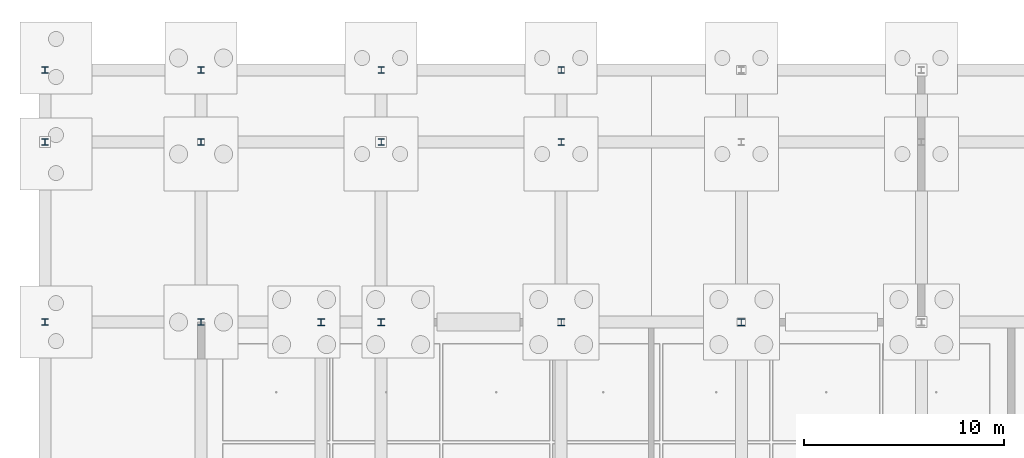
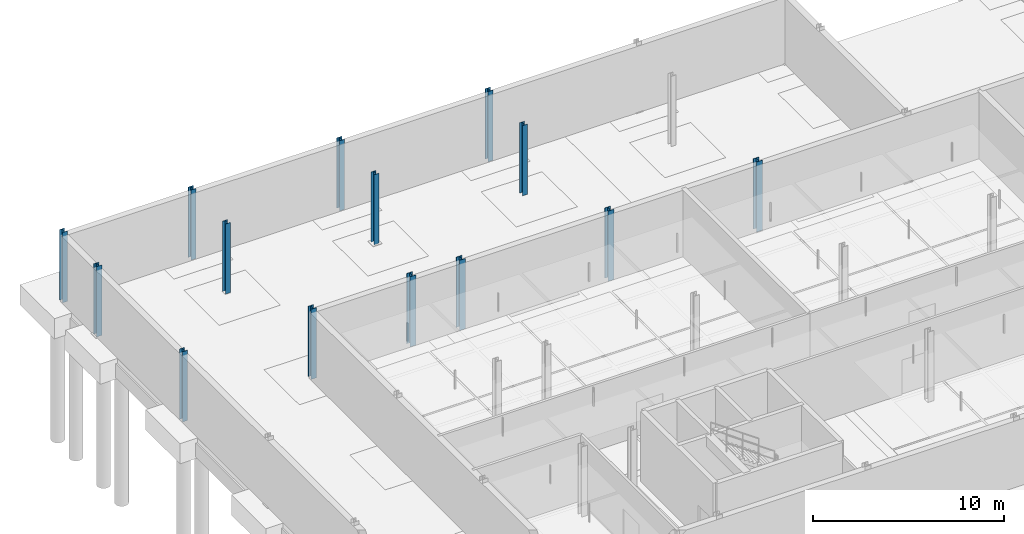
# One storey, part 13 of 48: 14 columns.
"""IFC4 building model written with IfcOpenShell, lengths in metres."""

import ifcopenshell
import ifcopenshell.guid

model = None  # the IFC model being written
_history = None  # IfcOwnerHistory: only IFC2X3 demands one
_inside = {}  # id of a spatial element -> (the spatial element, [elements in it])
_under = {}  # id of a project, library or spatial element -> (it, [spatial elements below it])
_declared = {}  # id of a project -> (the project, [libraries it declares])
_typed = {}  # id of a type object -> (the type object, [elements of that type])
_made_of = {}  # id of a material, layer set ... -> (it, [elements and type objects made of it])


def new_model(schema):
    """Start an empty IFC model of exactly this schema.

    Asked for "IFC4X3", IfcOpenShell would pick the latest addendum, in which some entities
    have other attributes; the version numbers below select the first issue.
    IFC2X3 requires an IfcOwnerHistory on every rooted entity: one is made here for all.
    """
    global model, _history
    if schema == "IFC4X3":
        model = ifcopenshell.file(schema_version=(4, 3, 0, 0))
    else:
        model = ifcopenshell.file(schema=schema)
    _inside.clear()
    _under.clear()
    _declared.clear()
    _typed.clear()
    _made_of.clear()
    _history = None
    if model.schema == "IFC2X3":
        org = make("IfcOrganization", Name="unknown")
        user = make(
            "IfcPersonAndOrganization",
            ThePerson=make("IfcPerson", FamilyName="unknown"),
            TheOrganization=org,
        )
        app = make(
            "IfcApplication",
            ApplicationDeveloper=org,
            Version="unknown",
            ApplicationFullName="unknown",
            ApplicationIdentifier="unknown",
        )
        _history = make(
            "IfcOwnerHistory",
            OwningUser=user,
            OwningApplication=app,
            ChangeAction="ADDED",
            CreationDate=0,
        )
    return model


def make(cls, **values):
    """One entity of the class cls with the attributes given. An attribute that is None is left unset."""
    return model.create_entity(
        cls, **{name: value for name, value in values.items() if value is not None}
    )


def rooted(cls, **values):
    """An entity with a GlobalId (a new one), such as an element, a storey or a relation."""
    return make(cls, GlobalId=ifcopenshell.guid.new(), OwnerHistory=_history, **values)


def si_unit(unit_type, name, prefix=None):
    """IfcSIUnit, for example si_unit("LENGTHUNIT", "METRE", prefix="MILLI")."""
    return make("IfcSIUnit", UnitType=unit_type, Prefix=prefix, Name=name)


def assignment(units):
    """IfcUnitAssignment: the units of a project."""
    return None if units is None else make("IfcUnitAssignment", Units=units)


def point(xyz):
    """IfcCartesianPoint."""
    return None if xyz is None else make("IfcCartesianPoint", Coordinates=xyz)


def direction(xyz):
    """IfcDirection."""
    return None if xyz is None else make("IfcDirection", DirectionRatios=xyz)


def frame(location, z_axis=None, x_axis=None):
    """IfcAxis2Placement3D, a coordinate frame: its origin and axes. An axis left out is left unset."""
    return make(
        "IfcAxis2Placement3D",
        Location=point(location),
        Axis=direction(z_axis),
        RefDirection=direction(x_axis),
    )


def frame_2d(location, x_axis=None):
    """IfcAxis2Placement2D, a coordinate frame in the plane: its origin and x axis."""
    return make(
        "IfcAxis2Placement2D", Location=point(location), RefDirection=direction(x_axis)
    )


def origin():
    """The frame at (0, 0, 0) with its axes left unset."""
    return frame((0.0, 0.0, 0.0))


def origin_2d():
    """The frame at (0, 0) in the plane with its x axis left unset."""
    return frame_2d((0.0, 0.0))


def place(relative_to, where):
    """IfcLocalPlacement: puts the frame where relative to a parent placement (None: the world)."""
    return make(
        "IfcLocalPlacement", PlacementRelTo=relative_to, RelativePlacement=where
    )


def context(
    kind, dimensions, precision=None, world=None, true_north=None, identifier=None
):
    """IfcGeometricRepresentationContext, for example the 3D "Model" context."""
    return make(
        "IfcGeometricRepresentationContext",
        ContextIdentifier=identifier,
        ContextType=kind,
        CoordinateSpaceDimension=dimensions,
        Precision=precision,
        WorldCoordinateSystem=world,
        TrueNorth=true_north,
    )


def subcontext(parent, identifier, kind, view, scale=None):
    """IfcGeometricRepresentationSubContext, for example "Body" below "Model"."""
    return make(
        "IfcGeometricRepresentationSubContext",
        ContextIdentifier=identifier,
        ContextType=kind,
        ParentContext=parent,
        TargetScale=scale,
        TargetView=view,
    )


def project(units=None, contexts=None):
    """IfcProject with its units and contexts."""
    return rooted(
        "IfcProject",
        Name="project",
        RepresentationContexts=contexts,
        UnitsInContext=assignment(units),
    )


def spatial(cls, under=None, at=None, **own):
    """A site, building, storey or space (cls), placed at a placement, below another one or the project."""
    s = rooted(cls, ObjectPlacement=at, **own)
    if under is not None:
        _under.setdefault(under.id(), (under, []))[1].append(s)
    return s


def profile(cls, at=None, kind="AREA", **sizes):
    """A parametric profile (cls). Its sizes go by their IFC names, for example OverallWidth=200.0."""
    return make(cls, ProfileType=kind, Position=at, **sizes)


def i_section(**sizes):
    """IfcIShapeProfileDef."""
    return profile("IfcIShapeProfileDef", **sizes)


def extrude(swept, where, along, depth):
    """IfcExtrudedAreaSolid: the profile swept, set in the frame where, extruded along a direction by depth."""
    return make(
        "IfcExtrudedAreaSolid",
        SweptArea=swept,
        Position=where,
        ExtrudedDirection=direction(along),
        Depth=depth,
    )


def shape(context_of_items, identifier, shape_type, items):
    """IfcShapeRepresentation: the items that make up one representation, for example the "Body"."""
    return make(
        "IfcShapeRepresentation",
        ContextOfItems=context_of_items,
        RepresentationIdentifier=identifier,
        RepresentationType=shape_type,
        Items=items,
    )


def material(Name=None, Category=None):
    """IfcMaterial."""
    return make("IfcMaterial", Name=Name, Category=Category)


def material_profile(
    of_material, cross_section, Name=None, Category=None, Priority=None
):
    """IfcMaterialProfile: a cross section and its material."""
    return make(
        "IfcMaterialProfile",
        Name=Name,
        Material=of_material,
        Profile=cross_section,
        Priority=Priority,
        Category=Category,
    )


def profile_set(profiles, Name=None, composite=None):
    """IfcMaterialProfileSet."""
    return make(
        "IfcMaterialProfileSet",
        Name=Name,
        MaterialProfiles=profiles,
        CompositeProfile=composite,
    )


def made_of(thing, what):
    """Note that an element or type object is made of a material, layer set ...; save() writes the relation."""
    if what is not None:
        _made_of.setdefault(what.id(), (what, []))[1].append(thing)
    return thing


def type_object(cls, material=None, **own):
    """A type object (cls), such as IfcWallType, which elements share."""
    return made_of(rooted(cls, **own), material)


def element(
    cls,
    number,
    at=None,
    inside=None,
    cuts=None,
    type_object=None,
    material=None,
    context=None,
    identifier="Body",
    shape_type=None,
    held_by="IfcProductDefinitionShape",
    body=None,
    shapes=None,
    **own,
):
    """One element of the class cls, such as IfcWall. Its Tag is "e" and its number.

    at: its placement. inside: the storey or other place that contains it. cuts: it is an
    opening in that element (IfcRelVoidsElement). A single representation is given by context,
    identifier, shape_type and body (its items); several are given by shapes. held_by: the class
    of the entity that holds the representations. save() writes the other relations.
    """
    e = rooted(cls, Tag="e%d" % number, ObjectPlacement=at, **own)
    if body is not None:
        shapes = [shape(context, identifier, shape_type, body)]
    if shapes is not None:
        e.Representation = make(held_by, Representations=shapes)
    if inside is not None:
        _inside.setdefault(inside.id(), (inside, []))[1].append(e)
    if cuts is not None:
        rooted(
            "IfcRelVoidsElement", RelatingBuildingElement=cuts, RelatedOpeningElement=e
        )
    if type_object is not None:
        _typed.setdefault(type_object.id(), (type_object, []))[1].append(e)
    return made_of(e, material)


def aggregate(whole, parts):
    """IfcRelAggregates: a whole, such as a stair, and the parts it consists of."""
    return rooted("IfcRelAggregates", RelatingObject=whole, RelatedObjects=parts)


def save(model, path):
    """Write the relations noted so far, then the file.

    IfcRelAggregates (storeys below a building ...), IfcRelContainedInSpatialStructure (elements
    in a storey), IfcRelDefinesByType, IfcRelAssociatesMaterial and IfcRelDeclares: one each for
    every whole, place, type object, material and project.
    """
    for whole, parts in _under.values():
        aggregate(whole, parts)
    for where, things in _inside.values():
        rooted(
            "IfcRelContainedInSpatialStructure",
            RelatedElements=things,
            RelatingStructure=where,
        )
    for kind, things in _typed.values():
        rooted("IfcRelDefinesByType", RelatedObjects=things, RelatingType=kind)
    for what, things in _made_of.values():
        rooted("IfcRelAssociatesMaterial", RelatedObjects=things, RelatingMaterial=what)
    for by, libraries in _declared.values():
        rooted("IfcRelDeclares", RelatingContext=by, RelatedDefinitions=libraries)
    model.write(path)


model = new_model("IFC4")

# Units and contexts
model_context = context("Model", 3, precision=1e-05, world=origin(), true_north=direction((0.0, 1.0)))
body_context = subcontext(model_context, "Body", "Model", "MODEL_VIEW")
ifc_project = project(units=[si_unit("LENGTHUNIT", "METRE"), si_unit("AREAUNIT", "SQUARE_METRE"), si_unit("VOLUMEUNIT", "CUBIC_METRE"), si_unit("PLANEANGLEUNIT", "RADIAN"), si_unit("MASSUNIT", "GRAM", prefix="KILO"), si_unit("THERMODYNAMICTEMPERATUREUNIT", "KELVIN"), si_unit("POWERUNIT", "WATT")], contexts=[model_context])

# Site, building, storey
site_placement = place(None, origin())
site = spatial("IfcSite", under=ifc_project, at=site_placement, CompositionType="ELEMENT")
building_placement = place(site_placement, origin())
building = spatial("IfcBuilding", under=site, at=building_placement, Name="Tallowbark Science Centre", CompositionType="ELEMENT")
storey_placement = place(building_placement, frame((0.0, 0.0, -4.5)))
storey = spatial("IfcBuildingStorey", under=building, at=storey_placement, Name="B1", CompositionType="ELEMENT", Elevation=-4.5)

# Columns
ifc_material = material(Name="Structural Steel Grade 300PLUS (300 MPa)", Category="steel")
ifc_material_profile_1 = material_profile(ifc_material, i_section(OverallWidth=0.30908203125, OverallDepth=0.320556640625, WebThickness=0.013916015625, FlangeThickness=0.021728515625, FilletRadius=0.0166015625, at=origin_2d()), Name="310UC137")
ifc_profile_set_1 = profile_set([ifc_material_profile_1], Name="Structural Steel Grade 300PLUS (300 MPa)")
column_type_1 = type_object("IfcColumnType", Name="COL-UC310B", PredefinedType="COLUMN", material=ifc_profile_set_1)
column_placement = place(storey_placement, frame((63.0, 99.0, 0.0), z_axis=(0.0, 0.0, 1.0), x_axis=(1.0, 0.0, 0.0)))
element("IfcColumn", 1, at=column_placement, inside=storey, type_object=column_type_1, Name="Column LAB-1_3 B1", PredefinedType="COLUMN", context=body_context, shape_type="SweptSolid", body=[
    extrude(i_section(OverallWidth=0.30908203125, OverallDepth=0.320556640625, WebThickness=0.013916015625, FlangeThickness=0.021728515625, FilletRadius=0.0166015625, at=origin_2d()), origin(), (0.0, 0.0, 1.0), 4.5),
])
ifc_material_profile_2 = material_profile(ifc_material, i_section(OverallWidth=0.307373046875, OverallDepth=0.314697265625, WebThickness=0.011962890625, FlangeThickness=0.018798828125, FilletRadius=0.0166015625, at=origin_2d()), Name="310UC118")
ifc_profile_set_2 = profile_set([ifc_material_profile_2], Name="Structural Steel Grade 300PLUS (300 MPa)")
column_type_2 = type_object("IfcColumnType", Name="COL-UC310C", PredefinedType="COLUMN", material=ifc_profile_set_2)
for number, where, z_axis, x_axis, name in (
    (2, (55.199951171875, 99.0, 0.0), (0.0, 0.0, 1.0), (1.0, 0.0, 0.0), "Column LAB-0_3 B1"),
    (3, (55.199951171875, 108.0, 0.0), (0.0, 0.0, 1.0), (1.0, 0.0, 0.0), "Column LAB-0_4 B1"),
    (4, (55.199951171875, 111.60009765625, 0.0), (0.0, 0.0, 1.0), (1.0, 0.0, 0.0), "Column LAB-0_5 B1"),
    (5, (63.0, 108.0, 0.0), (0.0, 0.0, 1.0), (1.0, 0.0, 0.0), "Column LAB-1_4 B1"),
    (6, (63.0, 111.60009765625, 0.0), (0.0, 0.0, 1.0), (1.0, 0.0, 0.0), "Column LAB-1_5 B1"),
    (7, (72.0, 108.0, 0.0), (0.0, 0.0, 1.0), (1.0, 0.0, 0.0), "Column LAB-3_4 B1"),
    (8, (72.0, 111.60009765625, 0.0), (0.0, 0.0, 1.0), (1.0, 0.0, 0.0), "Column LAB-3_5 B1"),
    (9, (81.0, 108.0, 0.0), (0.0, 0.0, 1.0), (1.0, 0.0, 0.0), "Column LAB-4_4 B1"),
    (10, (81.0, 111.60009765625, 0.0), (0.0, 0.0, 1.0), (1.0, 0.0, 0.0), "Column LAB-4_5 B1"),
):
    element("IfcColumn", number, at=place(storey_placement, frame(where, z_axis=z_axis, x_axis=x_axis)), inside=storey, type_object=column_type_2, Name=name, PredefinedType="COLUMN", context=body_context, shape_type="SweptSolid", body=[
        extrude(i_section(OverallWidth=0.307373046875, OverallDepth=0.314697265625, WebThickness=0.011962890625, FlangeThickness=0.018798828125, FilletRadius=0.0166015625, at=origin_2d()), origin(), (0.0, 0.0, 1.0), 4.5),
    ])
ifc_material_profile_3 = material_profile(ifc_material, i_section(OverallWidth=0.35009765625, OverallDepth=0.35888671875, WebThickness=0.01611328125, FlangeThickness=0.02392578125, FilletRadius=0.013916015625, at=origin_2d()), Name="350WC197")
ifc_profile_set_3 = profile_set([ifc_material_profile_3], Name="Structural Steel Grade 300PLUS (300 MPa)")
column_type_3 = type_object("IfcColumnType", Name="COL-WC350", PredefinedType="COLUMN", material=ifc_profile_set_3)
for number, where, z_axis, x_axis, name in (
    (11, (69.0, 99.0, 0.0), (0.0, 0.0, 1.0), (1.0, 0.0, 0.0), "Column LAB-2_3 B1"),
    (12, (72.0, 99.0, 0.0), (0.0, 0.0, 1.0), (1.0, 0.0, 0.0), "Column LAB-3_3 B1"),
    (13, (81.0, 99.0, 0.0), (0.0, 0.0, 1.0), (1.0, 0.0, 0.0), "Column LAB-4_3 B1"),
    (14, (90.0, 99.0, 0.0), (0.0, 0.0, 1.0), (1.0, 0.0, 0.0), "Column LAB-5_3 B1"),
):
    element("IfcColumn", number, at=place(storey_placement, frame(where, z_axis=z_axis, x_axis=x_axis)), inside=storey, type_object=column_type_3, Name=name, PredefinedType="COLUMN", context=body_context, shape_type="SweptSolid", body=[
        extrude(i_section(OverallWidth=0.35009765625, OverallDepth=0.35888671875, WebThickness=0.01611328125, FlangeThickness=0.02392578125, FilletRadius=0.013916015625, at=origin_2d()), origin(), (0.0, 0.0, 1.0), 4.5),
    ])

save(model, "model.ifc")
